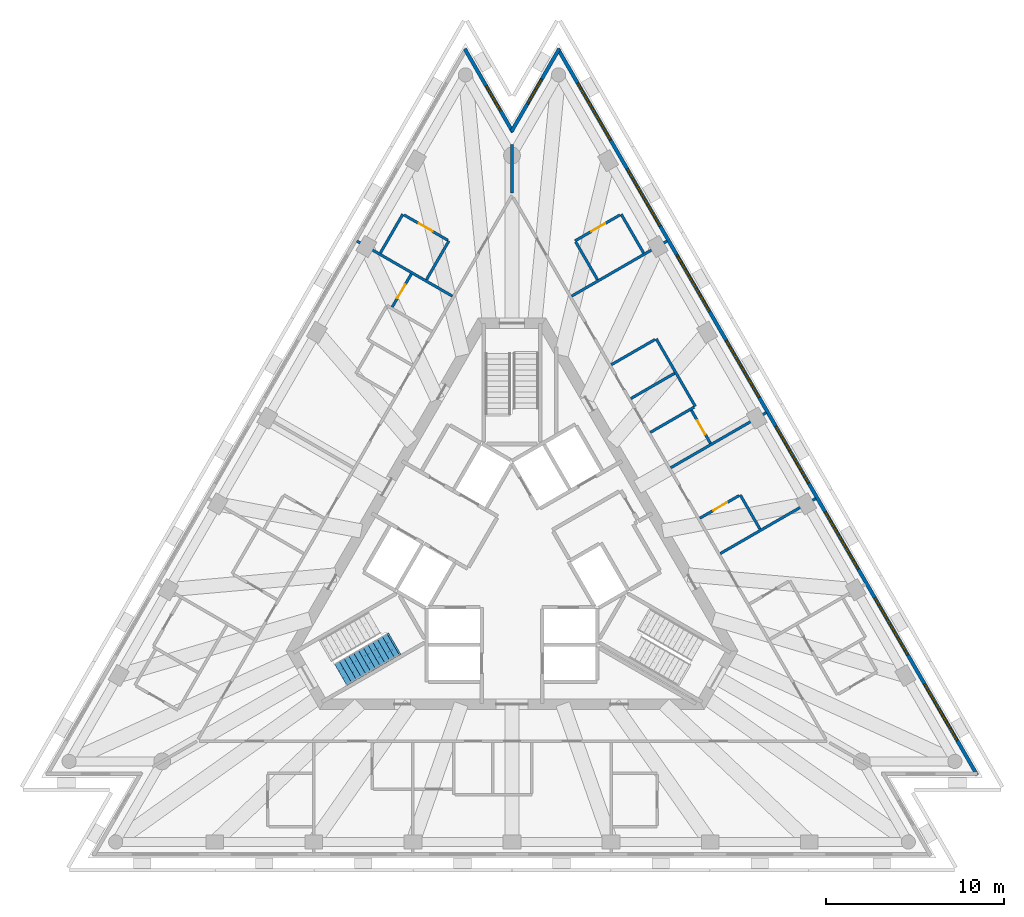
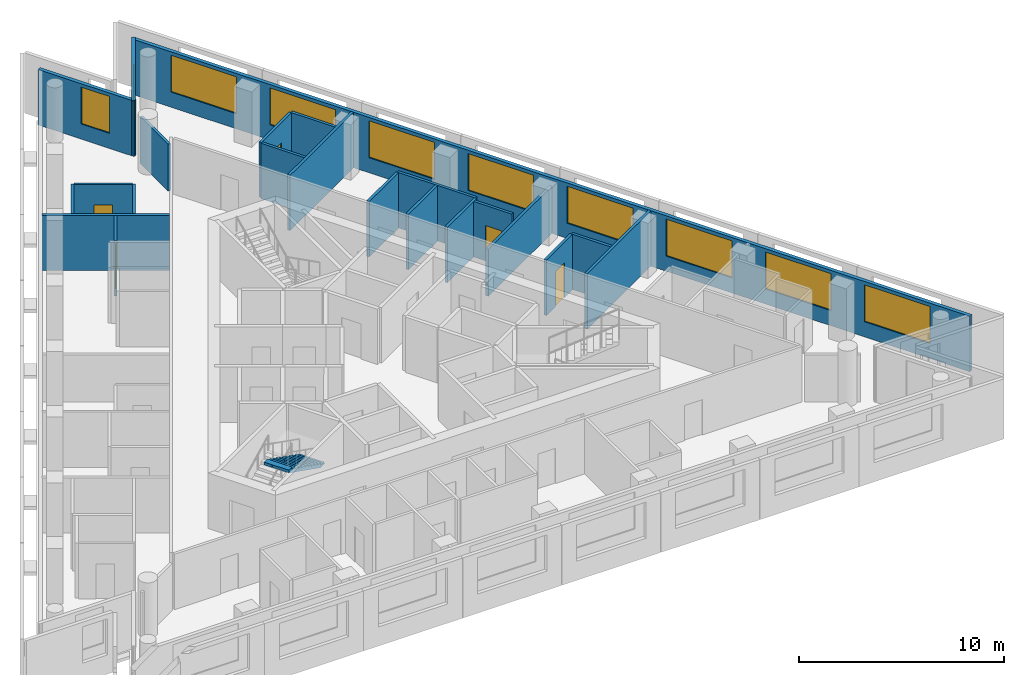
# One storey, part 7 of 10: 22 walls, 10 windows, 5 doors, 1 stair flight, 15 openings, 1 element without a shape of its own.
"""IFC4 building model written with IfcOpenShell, lengths in metres."""

from ifc_helpers import new_model, si_unit, direction, frame, frame_2d, origin, place, context, subcontext, project, spatial, polyline, rectangle, outline, extrude, material, layer, layer_set, layer_usage, type_object, element, fill, aggregate, save


model = new_model("IFC4")

# Units and contexts
model_context = context("Model", 3, precision=1e-05, world=origin(), true_north=direction((0.0, 1.0)))
body_context = subcontext(model_context, "Body", "Model", "MODEL_VIEW")
ifc_project = project(units=[si_unit("LENGTHUNIT", "METRE"), si_unit("AREAUNIT", "SQUARE_METRE"), si_unit("VOLUMEUNIT", "CUBIC_METRE"), si_unit("PLANEANGLEUNIT", "RADIAN"), si_unit("MASSUNIT", "GRAM", prefix="KILO")], contexts=[model_context])

# Site, building, storey
site_placement = place(None, origin())
site = spatial("IfcSite", under=ifc_project, at=site_placement, CompositionType="ELEMENT")
building_placement = place(site_placement, origin())
building = spatial("IfcBuilding", under=site, at=building_placement, Name="Triada Interchange Tower", CompositionType="ELEMENT")
storey_placement = place(building_placement, frame((0.0, 0.0, 268.300048828125)))
storey = spatial("IfcBuildingStorey", under=building, at=storey_placement, Name="L62", CompositionType="ELEMENT", Elevation=268.300048828125)

# Wall, openings, windows
ifc_material_1 = material(Name="Cement board")
ifc_layer_1 = layer(ifc_material_1, 0.02001953125, Name="Cement board cladding")
ifc_material_2 = material(Name="Sheathing board")
ifc_layer_2 = layer(ifc_material_2, 0.014892578125, Name="Sheathing board")
ifc_material_3 = material(Name="Mineral wool")
ifc_layer_3 = layer(ifc_material_3, 0.14990234375, Name="Mineral wool between steel studs")
ifc_material_4 = material(Name="Gypsum board")
ifc_layer_4 = layer(ifc_material_4, 0.014892578125, Name="Plasterboard lining")
ifc_layer_set_1 = layer_set([ifc_layer_1, ifc_layer_2, ifc_layer_3, ifc_layer_4], Name="External wall 200")
ifc_layer_usage = layer_usage(ifc_layer_set_1, "AXIS2", "POSITIVE", -0.10009765625)
wall_type_1 = type_object("IfcWallType", Name="External wall 200", PredefinedType="ELEMENTEDWALL", material=ifc_layer_set_1)
wall_1_placement = place(storey_placement, frame((26.205078125, -12.154052734375, 0.0), z_axis=(0.0, 0.0, 1.0), x_axis=(-0.49999909388, 0.866025926932, 0.0)))
wall_1 = element("IfcWall", 1, at=wall_1_placement, inside=storey, type_object=wall_type_1, material=ifc_layer_usage, Name="External wall L62 NE", PredefinedType="ELEMENTEDWALL", context=body_context, shape_type="SweptSolid", body=[
    extrude(rectangle(XDim=47.236328125, YDim=0.199951171875, at=frame_2d((23.6181640625, 0.0))), origin(), (0.0, 0.0, 1.0), 3.300048828125),
])
opening_1_placement = place(wall_1_placement, frame((2.242919921875, 0.0, 0.89990234375)))
opening_1 = element("IfcOpeningElement", 2, at=opening_1_placement, cuts=wall_1, Name="Opening WD21", PredefinedType="OPENING", context=body_context, shape_type="SweptSolid", body=[
    extrude(rectangle(XDim=3.699951171875, YDim=2.199951171875, at=frame_2d((1.85009765625, 1.10009765625))), frame((0.0, 0.10986328125, 0.0), z_axis=(0.0, -1.0, 0.0), x_axis=(1.0, 0.0, 0.0)), (0.0, 0.0, 1.0), 0.219970703125),
])
opening_2_placement = place(wall_1_placement, frame((7.824951171875, 0.0, 0.89990234375)))
opening_2 = element("IfcOpeningElement", 3, at=opening_2_placement, cuts=wall_1, Name="Opening WD22", PredefinedType="OPENING", context=body_context, shape_type="SweptSolid", body=[
    extrude(rectangle(XDim=3.699951171875, YDim=2.199951171875, at=frame_2d((1.85009765625, 1.10009765625))), frame((0.0, 0.10986328125, 0.0), z_axis=(0.0, -1.0, 0.0), x_axis=(1.0, 0.0, 0.0)), (0.0, 0.0, 1.0), 0.219970703125),
])
opening_3_placement = place(wall_1_placement, frame((13.406005859375, 0.0, 0.89990234375)))
opening_3 = element("IfcOpeningElement", 4, at=opening_3_placement, cuts=wall_1, Name="Opening WD23", PredefinedType="OPENING", context=body_context, shape_type="SweptSolid", body=[
    extrude(rectangle(XDim=3.699951171875, YDim=2.199951171875, at=frame_2d((1.85009765625, 1.10009765625))), frame((0.0, 0.10986328125, 0.0), z_axis=(0.0, -1.0, 0.0), x_axis=(1.0, 0.0, 0.0)), (0.0, 0.0, 1.0), 0.219970703125),
])
opening_4_placement = place(wall_1_placement, frame((18.987060546875, 0.0, 0.89990234375)))
opening_4 = element("IfcOpeningElement", 5, at=opening_4_placement, cuts=wall_1, Name="Opening WD24", PredefinedType="OPENING", context=body_context, shape_type="SweptSolid", body=[
    extrude(rectangle(XDim=3.699951171875, YDim=2.199951171875, at=frame_2d((1.85009765625, 1.10009765625))), frame((0.0, 0.10986328125, 0.0), z_axis=(0.0, -1.0, 0.0), x_axis=(1.0, 0.0, 0.0)), (0.0, 0.0, 1.0), 0.219970703125),
])
opening_5_placement = place(wall_1_placement, frame((24.569091796875, 0.0, 0.89990234375)))
opening_5 = element("IfcOpeningElement", 6, at=opening_5_placement, cuts=wall_1, Name="Opening WD25", PredefinedType="OPENING", context=body_context, shape_type="SweptSolid", body=[
    extrude(rectangle(XDim=3.699951171875, YDim=2.199951171875, at=frame_2d((1.85009765625, 1.10009765625))), frame((0.0, 0.10986328125, 0.0), z_axis=(0.0, -1.0, 0.0), x_axis=(1.0, 0.0, 0.0)), (0.0, 0.0, 1.0), 0.219970703125),
])
opening_6_placement = place(wall_1_placement, frame((30.14990234375, 0.0, 0.89990234375)))
opening_6 = element("IfcOpeningElement", 7, at=opening_6_placement, cuts=wall_1, Name="Opening WD26", PredefinedType="OPENING", context=body_context, shape_type="SweptSolid", body=[
    extrude(rectangle(XDim=3.699951171875, YDim=2.199951171875, at=frame_2d((1.85009765625, 1.10009765625))), frame((0.0, 0.10986328125, 0.0), z_axis=(0.0, -1.0, 0.0), x_axis=(1.0, 0.0, 0.0)), (0.0, 0.0, 1.0), 0.219970703125),
])
opening_7_placement = place(wall_1_placement, frame((35.73193359375, 0.0, 0.89990234375)))
opening_7 = element("IfcOpeningElement", 8, at=opening_7_placement, cuts=wall_1, Name="Opening WD27", PredefinedType="OPENING", context=body_context, shape_type="SweptSolid", body=[
    extrude(rectangle(XDim=3.699951171875, YDim=2.199951171875, at=frame_2d((1.85009765625, 1.10009765625))), frame((0.0, 0.10986328125, 0.0), z_axis=(0.0, -1.0, 0.0), x_axis=(1.0, 0.0, 0.0)), (0.0, 0.0, 1.0), 0.219970703125),
])
opening_8_placement = place(wall_1_placement, frame((41.31298828125, 0.0, 0.89990234375)))
opening_8 = element("IfcOpeningElement", 9, at=opening_8_placement, cuts=wall_1, Name="Opening WD28", PredefinedType="OPENING", context=body_context, shape_type="SweptSolid", body=[
    extrude(rectangle(XDim=3.699951171875, YDim=2.199951171875, at=frame_2d((1.85009765625, 1.10009765625))), frame((0.0, 0.10986328125, 0.0), z_axis=(0.0, -1.0, 0.0), x_axis=(1.0, 0.0, 0.0)), (0.0, 0.0, 1.0), 0.219970703125),
])
ifc_material_5 = material(Name="Double glazed aluminium window", Category="aluminium")
window_type_1 = type_object("IfcWindowType", Name="Ribbon window D face", PartitioningType="SINGLE_PANEL", PredefinedType="WINDOW", material=ifc_material_5)
window_1_placement = place(opening_1_placement, origin())
window_1 = element("IfcWindow", 10, at=window_1_placement, inside=storey, type_object=window_type_1, Name="Window L62 NE 1", OverallHeight=2.199951171875, OverallWidth=3.699951171875, PartitioningType="SINGLE_PANEL", PredefinedType="WINDOW", context=body_context, shape_type="SweptSolid", body=[
    extrude(rectangle(XDim=3.699951171875, YDim=2.199951171875, at=frame_2d((1.85009765625, 1.10009765625))), frame((0.0, 0.030029296875, 0.0), z_axis=(0.0, -1.0, 0.0), x_axis=(1.0, 0.0, 0.0)), (0.0, 0.0, 1.0), 0.06005859375),
])
fill(opening_1, window_1)
window_2_placement = place(opening_2_placement, origin())
window_2 = element("IfcWindow", 11, at=window_2_placement, inside=storey, type_object=window_type_1, Name="Window L62 NE 2", OverallHeight=2.199951171875, OverallWidth=3.699951171875, PartitioningType="SINGLE_PANEL", PredefinedType="WINDOW", context=body_context, shape_type="SweptSolid", body=[
    extrude(rectangle(XDim=3.699951171875, YDim=2.199951171875, at=frame_2d((1.85009765625, 1.10009765625))), frame((0.0, 0.030029296875, 0.0), z_axis=(0.0, -1.0, 0.0), x_axis=(1.0, 0.0, 0.0)), (0.0, 0.0, 1.0), 0.06005859375),
])
fill(opening_2, window_2)
window_3_placement = place(opening_3_placement, origin())
window_3 = element("IfcWindow", 12, at=window_3_placement, inside=storey, type_object=window_type_1, Name="Window L62 NE 3", OverallHeight=2.199951171875, OverallWidth=3.699951171875, PartitioningType="SINGLE_PANEL", PredefinedType="WINDOW", context=body_context, shape_type="SweptSolid", body=[
    extrude(rectangle(XDim=3.699951171875, YDim=2.199951171875, at=frame_2d((1.85009765625, 1.10009765625))), frame((0.0, 0.030029296875, 0.0), z_axis=(0.0, -1.0, 0.0), x_axis=(1.0, 0.0, 0.0)), (0.0, 0.0, 1.0), 0.06005859375),
])
fill(opening_3, window_3)
window_4_placement = place(opening_4_placement, origin())
window_4 = element("IfcWindow", 13, at=window_4_placement, inside=storey, type_object=window_type_1, Name="Window L62 NE 4", OverallHeight=2.199951171875, OverallWidth=3.699951171875, PartitioningType="SINGLE_PANEL", PredefinedType="WINDOW", context=body_context, shape_type="SweptSolid", body=[
    extrude(rectangle(XDim=3.699951171875, YDim=2.199951171875, at=frame_2d((1.85009765625, 1.10009765625))), frame((0.0, 0.030029296875, 0.0), z_axis=(0.0, -1.0, 0.0), x_axis=(1.0, 0.0, 0.0)), (0.0, 0.0, 1.0), 0.06005859375),
])
fill(opening_4, window_4)
window_5_placement = place(opening_5_placement, origin())
window_5 = element("IfcWindow", 14, at=window_5_placement, inside=storey, type_object=window_type_1, Name="Window L62 NE 5", OverallHeight=2.199951171875, OverallWidth=3.699951171875, PartitioningType="SINGLE_PANEL", PredefinedType="WINDOW", context=body_context, shape_type="SweptSolid", body=[
    extrude(rectangle(XDim=3.699951171875, YDim=2.199951171875, at=frame_2d((1.85009765625, 1.10009765625))), frame((0.0, 0.030029296875, 0.0), z_axis=(0.0, -1.0, 0.0), x_axis=(1.0, 0.0, 0.0)), (0.0, 0.0, 1.0), 0.06005859375),
])
fill(opening_5, window_5)
window_6_placement = place(opening_6_placement, origin())
window_6 = element("IfcWindow", 15, at=window_6_placement, inside=storey, type_object=window_type_1, Name="Window L62 NE 6", OverallHeight=2.199951171875, OverallWidth=3.699951171875, PartitioningType="SINGLE_PANEL", PredefinedType="WINDOW", context=body_context, shape_type="SweptSolid", body=[
    extrude(rectangle(XDim=3.699951171875, YDim=2.199951171875, at=frame_2d((1.85009765625, 1.10009765625))), frame((0.0, 0.030029296875, 0.0), z_axis=(0.0, -1.0, 0.0), x_axis=(1.0, 0.0, 0.0)), (0.0, 0.0, 1.0), 0.06005859375),
])
fill(opening_6, window_6)
window_7_placement = place(opening_7_placement, origin())
window_7 = element("IfcWindow", 16, at=window_7_placement, inside=storey, type_object=window_type_1, Name="Window L62 NE 7", OverallHeight=2.199951171875, OverallWidth=3.699951171875, PartitioningType="SINGLE_PANEL", PredefinedType="WINDOW", context=body_context, shape_type="SweptSolid", body=[
    extrude(rectangle(XDim=3.699951171875, YDim=2.199951171875, at=frame_2d((1.85009765625, 1.10009765625))), frame((0.0, 0.030029296875, 0.0), z_axis=(0.0, -1.0, 0.0), x_axis=(1.0, 0.0, 0.0)), (0.0, 0.0, 1.0), 0.06005859375),
])
fill(opening_7, window_7)
window_8_placement = place(opening_8_placement, origin())
window_8 = element("IfcWindow", 17, at=window_8_placement, inside=storey, type_object=window_type_1, Name="Window L62 NE 8", OverallHeight=2.199951171875, OverallWidth=3.699951171875, PartitioningType="SINGLE_PANEL", PredefinedType="WINDOW", context=body_context, shape_type="SweptSolid", body=[
    extrude(rectangle(XDim=3.699951171875, YDim=2.199951171875, at=frame_2d((1.85009765625, 1.10009765625))), frame((0.0, 0.030029296875, 0.0), z_axis=(0.0, -1.0, 0.0), x_axis=(1.0, 0.0, 0.0)), (0.0, 0.0, 1.0), 0.06005859375),
])
fill(opening_8, window_8)

# Wall, opening, window
wall_2_placement = place(storey_placement, frame((2.6669921875, 28.77099609375, 0.0), z_axis=(0.0, 0.0, 1.0), x_axis=(-0.500070558953, -0.865984662721, 0.0)))
wall_2 = element("IfcWall", 18, at=wall_2_placement, inside=storey, type_object=wall_type_1, material=ifc_layer_usage, Name="External wall L62 N-1", PredefinedType="ELEMENTEDWALL", context=body_context, shape_type="SweptSolid", body=[
    extrude(rectangle(XDim=5.403076171875, YDim=0.199951171875, at=frame_2d((2.70166015625, 0.0))), origin(), (0.0, 0.0, 1.0), 3.300048828125),
])
opening_9_placement = place(wall_2_placement, frame((1.989990234375, 0.0, 0.89990234375)))
opening_9 = element("IfcOpeningElement", 19, at=opening_9_placement, cuts=wall_2, Name="Opening WD29", PredefinedType="OPENING", context=body_context, shape_type="SweptSolid", body=[
    extrude(rectangle(XDim=1.60009765625, YDim=2.199951171875, at=frame_2d((0.800048828125, 1.10009765625))), frame((0.0, 0.10986328125, 0.0), z_axis=(0.0, -1.0, 0.0), x_axis=(1.0, 0.0, 0.0)), (0.0, 0.0, 1.0), 0.219970703125),
])
window_type_2 = type_object("IfcWindowType", Name="Ribbon window D pocket", PartitioningType="SINGLE_PANEL", PredefinedType="WINDOW", material=ifc_material_5)
window_9_placement = place(opening_9_placement, origin())
window_9 = element("IfcWindow", 20, at=window_9_placement, inside=storey, type_object=window_type_2, Name="Window L62 N-1 1", OverallHeight=2.199951171875, OverallWidth=1.60009765625, PartitioningType="SINGLE_PANEL", PredefinedType="WINDOW", context=body_context, shape_type="SweptSolid", body=[
    extrude(rectangle(XDim=1.60009765625, YDim=2.199951171875, at=frame_2d((0.800048828125, 1.10009765625))), frame((0.0, 0.030029296875, 0.0), z_axis=(0.0, -1.0, 0.0), x_axis=(1.0, 0.0, 0.0)), (0.0, 0.0, 1.0), 0.06005859375),
])
fill(opening_9, window_9)

wall_3_placement = place(storey_placement, frame((0.044921875, 24.074951171875, 0.0), z_axis=(0.0, 0.0, 1.0), x_axis=(-0.500070558953, 0.865984662721, 0.0)))
wall_3 = element("IfcWall", 21, at=wall_3_placement, inside=storey, type_object=wall_type_1, material=ifc_layer_usage, Name="External wall L62 N-2", PredefinedType="ELEMENTEDWALL", context=body_context, shape_type="SweptSolid", body=[
    extrude(rectangle(XDim=5.403076171875, YDim=0.199951171875, at=frame_2d((2.70166015625, 0.0))), origin(), (0.0, 0.0, 1.0), 3.300048828125),
])
opening_10_placement = place(wall_3_placement, frame((1.389892578125, 0.0, 0.89990234375)))
opening_10 = element("IfcOpeningElement", 22, at=opening_10_placement, cuts=wall_3, Name="Opening WD30", PredefinedType="OPENING", context=body_context, shape_type="SweptSolid", body=[
    extrude(rectangle(XDim=1.60009765625, YDim=2.199951171875, at=frame_2d((0.800048828125, 1.10009765625))), frame((0.0, 0.10986328125, 0.0), z_axis=(0.0, -1.0, 0.0), x_axis=(1.0, 0.0, 0.0)), (0.0, 0.0, 1.0), 0.219970703125),
])
window_10_placement = place(opening_10_placement, origin())
window_10 = element("IfcWindow", 23, at=window_10_placement, inside=storey, type_object=window_type_2, Name="Window L62 N-2 1", OverallHeight=2.199951171875, OverallWidth=1.60009765625, PartitioningType="SINGLE_PANEL", PredefinedType="WINDOW", context=body_context, shape_type="SweptSolid", body=[
    extrude(rectangle(XDim=1.60009765625, YDim=2.199951171875, at=frame_2d((0.800048828125, 1.10009765625))), frame((0.0, 0.030029296875, 0.0), z_axis=(0.0, -1.0, 0.0), x_axis=(1.0, 0.0, 0.0)), (0.0, 0.0, 1.0), 0.06005859375),
])
fill(opening_10, window_10)

# Walls
ifc_material_6 = material(Name="Gypsum board partition")
ifc_layer_5 = layer(ifc_material_6, 0.14990234375)
ifc_layer_set_2 = layer_set([ifc_layer_5], Name="PARTITION 150 EI 180")
wall_type_2 = type_object("IfcWallType", Name="PARTITION 150 EI 180", PredefinedType="PARTITIONING", material=ifc_layer_set_2)
wall_4_placement = place(storey_placement, frame((8.94189453125, 5.162109375, 0.0), z_axis=(0.0, 0.0, 1.0), x_axis=(0.866004272968, 0.500036597862, 0.0)))
element("IfcWall", 24, at=wall_4_placement, inside=storey, type_object=wall_type_2, Name="Wall L62 2", PredefinedType="PARTITIONING", context=body_context, shape_type="SweptSolid", body=[
    extrude(rectangle(XDim=6.21142578125, YDim=0.14990234375, at=frame_2d((3.105712890625, 0.0))), origin(), (0.0, 0.0, 1.0), 2.800048828125),
])
wall_5_placement = place(storey_placement, frame((-8.739990234375, 17.93603515625, 0.0), z_axis=(0.0, 0.0, 1.0), x_axis=(0.866033751423, -0.499985541187, 0.0)))
element("IfcWall", 25, at=wall_5_placement, inside=storey, type_object=wall_type_2, Name="Wall L62 10", PredefinedType="PARTITIONING", context=body_context, shape_type="SweptSolid", body=[
    extrude(rectangle(XDim=6.212158203125, YDim=0.14990234375, at=frame_2d((3.10595703125, 0.0))), origin(), (0.0, 0.0, 1.0), 3.300048828125),
])
wall_6_placement = place(storey_placement, frame((0.0, 20.64990234375, 0.0), z_axis=(0.0, 0.0, 1.0), x_axis=(0.0, 1.0, 0.0)))
element("IfcWall", 26, at=wall_6_placement, inside=storey, type_object=wall_type_2, Name="Wall L62 21", PredefinedType="PARTITIONING", context=body_context, shape_type="SweptSolid", body=[
    extrude(rectangle(XDim=2.72314453125, YDim=0.14990234375, at=frame_2d((1.361572265625, 0.0))), origin(), (0.0, 0.0, 1.0), 2.800048828125),
])
wall_7_placement = place(storey_placement, frame((3.360107421875, 14.830078125, 0.0), z_axis=(0.0, 0.0, 1.0), x_axis=(0.866033751423, 0.499985541187, 0.0)))
element("IfcWall", 27, at=wall_7_placement, inside=storey, type_object=wall_type_2, Name="Wall L62 23", PredefinedType="PARTITIONING", context=body_context, shape_type="SweptSolid", body=[
    extrude(rectangle(XDim=6.212158203125, YDim=0.14990234375, at=frame_2d((3.10595703125, 0.0))), origin(), (0.0, 0.0, 1.0), 3.300048828125),
])
wall_8_placement = place(storey_placement, frame((8.125, 12.427001953125, 0.0), z_axis=(0.0, 0.0, 1.0), x_axis=(0.500036278648, -0.866004457284, 0.0)))
element("IfcWall", 28, at=wall_8_placement, inside=storey, type_object=wall_type_2, Name="Wall L62 24", PredefinedType="PARTITIONING", context=body_context, shape_type="SweptSolid", body=[
    extrude(rectangle(XDim=4.399658203125, YDim=0.14990234375, at=frame_2d((2.19970703125, 0.0))), origin(), (0.0, 0.0, 1.0), 3.300048828125),
])
for number, where, z_axis, x_axis, name in (
    (29, (5.592041015625, 10.965087890625, 0.0), (0.0, 0.0, 1.0), (0.866041498374, 0.499972122318, 0.0), "Wall L62 25"),
    (30, (6.69189453125, 9.05908203125, 0.0), (0.0, 0.0, 1.0), (0.866041498374, 0.499972122318, 0.0), "Wall L62 27"),
    (31, (7.7919921875, 7.154052734375, 0.0), (0.0, 0.0, 1.0), (0.866004402611, 0.500036373335, 0.0), "Wall L62 28"),
):
    element("IfcWall", number, at=place(storey_placement, frame(where, z_axis=z_axis, x_axis=x_axis)), inside=storey, type_object=wall_type_2, Name=name, PredefinedType="PARTITIONING", context=body_context, shape_type="SweptSolid", body=[
        extrude(rectangle(XDim=2.849853515625, YDim=0.14990234375, at=frame_2d((1.4248046875, 0.0))), origin(), (0.0, 0.0, 1.0), 3.300048828125),
    ])
wall_9_placement = place(storey_placement, frame((11.73193359375, 0.3291015625, 0.0), z_axis=(0.0, 0.0, 1.0), x_axis=(0.866043575568, 0.499968524226, 0.0)))
element("IfcWall", 32, at=wall_9_placement, inside=storey, type_object=wall_type_2, Name="Wall L62 29", PredefinedType="PARTITIONING", context=body_context, shape_type="SweptSolid", body=[
    extrude(rectangle(XDim=6.21240234375, YDim=0.14990234375, at=frame_2d((3.106201171875, 0.0))), origin(), (0.0, 0.0, 1.0), 3.300048828125),
])
ifc_layer_6 = layer(ifc_material_6, 0.14990234375)
ifc_layer_set_3 = layer_set([ifc_layer_6], Name="PARTITION 150 EI 90")
wall_type_3 = type_object("IfcWallType", Name="PARTITION 150 EI 90", PredefinedType="PARTITIONING", material=ifc_layer_set_3)
for number, where, z_axis, x_axis, name in (
    (33, (-4.81689453125, 15.757080078125, 0.0), (0.0, 0.0, 1.0), (0.500079482444, 0.865979509711, 0.0), "Wall L62 35"),
    (34, (-7.4150390625, 17.257080078125, 0.0), (0.0, 0.0, 1.0), (0.500079482444, 0.865979509711, 0.0), "Wall L62 37"),
):
    element("IfcWall", number, at=place(storey_placement, frame(where, z_axis=z_axis, x_axis=x_axis)), inside=storey, type_object=wall_type_3, Name=name, PredefinedType="PARTITIONING", context=body_context, shape_type="SweptSolid", body=[
        extrude(rectangle(XDim=2.525390625, YDim=0.14990234375, at=frame_2d((1.2626953125, 0.0))), origin(), (0.0, 0.0, 1.0), 3.300048828125),
    ])

# Wall, opening, door
wall_10_placement = place(storey_placement, frame((-6.74609375, 14.216064453125, 0.0), z_axis=(0.0, 0.0, 1.0), x_axis=(0.500095966228, 0.865969990567, 0.0)))
wall_10 = element("IfcWall", 35, at=wall_10_placement, inside=storey, type_object=wall_type_3, Name="Wall L62 40", PredefinedType="PARTITIONING", context=body_context, shape_type="SweptSolid", body=[
    extrude(rectangle(XDim=2.14990234375, YDim=0.14990234375, at=frame_2d((1.074951171875, 0.0))), origin(), (0.0, 0.0, 1.0), 3.300048828125),
])
opening_11_placement = place(wall_10_placement, frame((0.574951171875, 0.0, 0.0)))
opening_11 = element("IfcOpeningElement", 36, at=opening_11_placement, cuts=wall_10, Name="Opening D62-37", PredefinedType="OPENING", context=body_context, shape_type="SweptSolid", body=[
    extrude(rectangle(XDim=0.89990234375, YDim=2.10009765625, at=frame_2d((0.449951171875, 1.050048828125))), frame((0.0, 0.0849609375, 0.0), z_axis=(0.0, -1.0, 0.0), x_axis=(1.0, 0.0, 0.0)), (0.0, 0.0, 1.0), 0.169921875),
])
ifc_material_7 = material(Name="Steel S235 door leaf", Category="steel")
door_type = type_object("IfcDoorType", Name="ROOM DOOR 900 EI2 45-C5S200", OperationType="NOTDEFINED", PredefinedType="DOOR", material=ifc_material_7)
door_1_placement = place(opening_11_placement, origin())
door_1 = element("IfcDoor", 37, at=door_1_placement, inside=storey, type_object=door_type, Name="Door D62-37 L62", OperationType="SINGLE_SWING_LEFT", OverallHeight=2.10009765625, OverallWidth=0.89990234375, PredefinedType="DOOR", context=body_context, shape_type="SweptSolid", body=[
    extrude(rectangle(XDim=0.89990234375, YDim=2.10009765625, at=frame_2d((0.449951171875, 1.050048828125))), frame((0.0, 0.02490234375, 0.0), z_axis=(0.0, -1.0, 0.0), x_axis=(1.0, 0.0, 0.0)), (0.0, 0.0, 1.0), 0.050048828125),
])
fill(opening_11, door_1)

wall_11_placement = place(storey_placement, frame((-6.0869140625, 19.406982421875, 0.0), z_axis=(0.0, 0.0, 1.0), x_axis=(0.866004402611, -0.500036373335, 0.0)))
wall_11 = element("IfcWall", 38, at=wall_11_placement, inside=storey, type_object=wall_type_3, Name="Wall L62 51", PredefinedType="PARTITIONING", context=body_context, shape_type="SweptSolid", body=[
    extrude(rectangle(XDim=2.849853515625, YDim=0.14990234375, at=frame_2d((1.4248046875, 0.0))), origin(), (0.0, 0.0, 1.0), 3.300048828125),
])
opening_12_placement = place(wall_11_placement, frame((0.97509765625, 0.0, 0.0)))
opening_12 = element("IfcOpeningElement", 39, at=opening_12_placement, cuts=wall_11, Name="Opening D62-35", PredefinedType="OPENING", context=body_context, shape_type="SweptSolid", body=[
    extrude(rectangle(XDim=0.89990234375, YDim=2.10009765625, at=frame_2d((0.449951171875, 1.050048828125))), frame((0.0, 0.0849609375, 0.0), z_axis=(0.0, -1.0, 0.0), x_axis=(1.0, 0.0, 0.0)), (0.0, 0.0, 1.0), 0.169921875),
])
door_2_placement = place(opening_12_placement, origin())
door_2 = element("IfcDoor", 40, at=door_2_placement, inside=storey, type_object=door_type, Name="Door D62-35 L62", OperationType="SINGLE_SWING_RIGHT", OverallHeight=2.10009765625, OverallWidth=0.89990234375, PredefinedType="DOOR", context=body_context, shape_type="SweptSolid", body=[
    extrude(rectangle(XDim=0.89990234375, YDim=2.10009765625, at=frame_2d((0.449951171875, 1.050048828125))), frame((0.0, 0.02490234375, 0.0), z_axis=(0.0, -1.0, 0.0), x_axis=(1.0, 0.0, 0.0)), (0.0, 0.0, 1.0), 0.050048828125),
])
fill(opening_12, door_2)

# Wall
wall_12_placement = place(storey_placement, frame((6.152099609375, 19.444091796875, 0.0), z_axis=(0.0, 0.0, 1.0), x_axis=(0.500079482444, -0.865979509711, 0.0)))
element("IfcWall", 41, at=wall_12_placement, inside=storey, type_object=wall_type_3, Name="Wall L62 52", PredefinedType="PARTITIONING", context=body_context, shape_type="SweptSolid", body=[
    extrude(rectangle(XDim=2.525390625, YDim=0.14990234375, at=frame_2d((1.2626953125, 0.0))), origin(), (0.0, 0.0, 1.0), 3.300048828125),
])

# Wall, opening, door
wall_13_placement = place(storey_placement, frame((3.553955078125, 17.944091796875, 0.0), z_axis=(0.0, 0.0, 1.0), x_axis=(0.865953438489, 0.500124626836, 0.0)))
wall_13 = element("IfcWall", 42, at=wall_13_placement, inside=storey, type_object=wall_type_3, Name="Wall L62 54", PredefinedType="PARTITIONING", context=body_context, shape_type="SweptSolid", body=[
    extrude(rectangle(XDim=2.925048828125, YDim=0.14990234375, at=frame_2d((1.46240234375, 0.0))), origin(), (0.0, 0.0, 1.0), 3.300048828125),
])
opening_13_placement = place(wall_13_placement, frame((1.050048828125, 0.0, 0.0)))
opening_13 = element("IfcOpeningElement", 43, at=opening_13_placement, cuts=wall_13, Name="Opening D62-33", PredefinedType="OPENING", context=body_context, shape_type="SweptSolid", body=[
    extrude(rectangle(XDim=0.89990234375, YDim=2.10009765625, at=frame_2d((0.449951171875, 1.050048828125))), frame((0.0, 0.0849609375, 0.0), z_axis=(0.0, -1.0, 0.0), x_axis=(1.0, 0.0, 0.0)), (0.0, 0.0, 1.0), 0.169921875),
])
door_3_placement = place(opening_13_placement, origin())
door_3 = element("IfcDoor", 44, at=door_3_placement, inside=storey, type_object=door_type, Name="Door D62-33 L62", OperationType="SINGLE_SWING_LEFT", OverallHeight=2.10009765625, OverallWidth=0.89990234375, PredefinedType="DOOR", context=body_context, shape_type="SweptSolid", body=[
    extrude(rectangle(XDim=0.89990234375, YDim=2.10009765625, at=frame_2d((0.449951171875, 1.050048828125))), frame((0.0, 0.02490234375, 0.0), z_axis=(0.0, -1.0, 0.0), x_axis=(1.0, 0.0, 0.0)), (0.0, 0.0, 1.0), 0.050048828125),
])
fill(opening_13, door_3)

# Wall
wall_14_placement = place(storey_placement, frame((3.592041015625, 17.87890625, 0.0), z_axis=(0.0, 0.0, 1.0), x_axis=(0.499943856944, -0.866057815567, 0.0)))
element("IfcWall", 45, at=wall_14_placement, inside=storey, type_object=wall_type_3, Name="Wall L62 55", PredefinedType="PARTITIONING", context=body_context, shape_type="SweptSolid", body=[
    extrude(rectangle(XDim=2.449951171875, YDim=0.14990234375, at=frame_2d((1.22509765625, 0.0))), origin(), (0.0, 0.0, 1.0), 3.300048828125),
])

# Wall, opening, door
wall_15_placement = place(storey_placement, frame((10.10302734375, 8.402099609375, 0.0), z_axis=(0.0, 0.0, 1.0), x_axis=(0.499961633463, -0.866047553582, 0.0)))
wall_15 = element("IfcWall", 46, at=wall_15_placement, inside=storey, type_object=wall_type_3, Name="Wall L62 58", PredefinedType="PARTITIONING", context=body_context, shape_type="SweptSolid", body=[
    extrude(rectangle(XDim=2.150146484375, YDim=0.14990234375, at=frame_2d((1.0751953125, 0.0))), origin(), (0.0, 0.0, 1.0), 3.300048828125),
])
opening_14_placement = place(wall_15_placement, frame((0.675048828125, 0.0, 0.0)))
opening_14 = element("IfcOpeningElement", 47, at=opening_14_placement, cuts=wall_15, Name="Opening D62-29", PredefinedType="OPENING", context=body_context, shape_type="SweptSolid", body=[
    extrude(rectangle(XDim=0.89990234375, YDim=2.10009765625, at=frame_2d((0.449951171875, 1.050048828125))), frame((0.0, 0.0849609375, 0.0), z_axis=(0.0, -1.0, 0.0), x_axis=(1.0, 0.0, 0.0)), (0.0, 0.0, 1.0), 0.169921875),
])
door_4_placement = place(opening_14_placement, origin())
door_4 = element("IfcDoor", 48, at=door_4_placement, inside=storey, type_object=door_type, Name="Door D62-29 L62", OperationType="SINGLE_SWING_LEFT", OverallHeight=2.10009765625, OverallWidth=0.89990234375, PredefinedType="DOOR", context=body_context, shape_type="SweptSolid", body=[
    extrude(rectangle(XDim=0.89990234375, YDim=2.10009765625, at=frame_2d((0.449951171875, 1.050048828125))), frame((0.0, 0.02490234375, 0.0), z_axis=(0.0, -1.0, 0.0), x_axis=(1.0, 0.0, 0.0)), (0.0, 0.0, 1.0), 0.050048828125),
])
fill(opening_14, door_4)

# Wall
wall_16_placement = place(storey_placement, frame((12.85595703125, 3.633056640625, 0.0), z_axis=(0.0, 0.0, 1.0), x_axis=(0.500023359282, -0.866011916877, 0.0)))
element("IfcWall", 49, at=wall_16_placement, inside=storey, type_object=wall_type_3, Name="Wall L62 59", PredefinedType="PARTITIONING", context=body_context, shape_type="SweptSolid", body=[
    extrude(rectangle(XDim=2.22412109375, YDim=0.14990234375, at=frame_2d((1.112060546875, 0.0))), origin(), (0.0, 0.0, 1.0), 3.300048828125),
])

# Wall, opening, door
wall_17_placement = place(storey_placement, frame((10.58203125, 2.321044921875, 0.0), z_axis=(0.0, 0.0, 1.0), x_axis=(0.866102706185, 0.499866084405, 0.0)))
wall_17 = element("IfcWall", 50, at=wall_17_placement, inside=storey, type_object=wall_type_3, Name="Wall L62 61", PredefinedType="PARTITIONING", context=body_context, shape_type="SweptSolid", body=[
    extrude(rectangle(XDim=2.550537109375, YDim=0.14990234375, at=frame_2d((1.275390625, 0.0))), origin(), (0.0, 0.0, 1.0), 3.300048828125),
])
opening_15_placement = place(wall_17_placement, frame((0.875, 0.0, 0.0)))
opening_15 = element("IfcOpeningElement", 51, at=opening_15_placement, cuts=wall_17, Name="Opening D62-27", PredefinedType="OPENING", context=body_context, shape_type="SweptSolid", body=[
    extrude(rectangle(XDim=0.89990234375, YDim=2.10009765625, at=frame_2d((0.449951171875, 1.050048828125))), frame((0.0, 0.0849609375, 0.0), z_axis=(0.0, -1.0, 0.0), x_axis=(1.0, 0.0, 0.0)), (0.0, 0.0, 1.0), 0.169921875),
])
door_5_placement = place(opening_15_placement, origin())
door_5 = element("IfcDoor", 52, at=door_5_placement, inside=storey, type_object=door_type, Name="Door D62-27 L62", OperationType="SINGLE_SWING_RIGHT", OverallHeight=2.10009765625, OverallWidth=0.89990234375, PredefinedType="DOOR", context=body_context, shape_type="SweptSolid", body=[
    extrude(rectangle(XDim=0.89990234375, YDim=2.10009765625, at=frame_2d((0.449951171875, 1.050048828125))), frame((0.0, 0.02490234375, 0.0), z_axis=(0.0, -1.0, 0.0), x_axis=(1.0, 0.0, 0.0)), (0.0, 0.0, 1.0), 0.050048828125),
])
fill(opening_15, door_5)

# Stair, stair flight
ifc_material_8 = material(Name="Concrete C35/45", Category="concrete")
stair_type = type_object("IfcStairType", Name="HALF TURN STAIR 1400", PredefinedType="HALF_TURN_STAIR", material=ifc_material_8)
stair_placement = place(storey_placement, origin())
stair = element("IfcStair", 53, at=stair_placement, inside=storey, type_object=stair_type, Name="Exit stair S62-2", PredefinedType="HALF_TURN_STAIR")
stair_flight_type = type_object("IfcStairFlightType", Name="STRAIGHT STAIR FLIGHT 1400", PredefinedType="STRAIGHT", material=ifc_material_8)
stair_flight_placement = place(storey_placement, frame((-6.693115234375, -4.7880859375, 1.7216796875), z_axis=(0.0, 0.0, 1.0), x_axis=(-0.866025403784, -0.5, 0.0)))
stair_flight = element("IfcStairFlight", 54, at=stair_flight_placement, type_object=stair_flight_type, Name="S62-2 flight 2", NumberOfRisers=12, NumberOfTreads=11, PredefinedType="STRAIGHT", RiserHeight=0.15652, TreadLength=0.31, context=body_context, shape_type="SweptSolid", body=[
    extrude(outline(polyline([(-0.10009765625, 0.0), (-0.10009765625, 0.02001953125), (0.0, 0.02001953125), (0.0, 0.156494140625), (0.31005859375, 0.156494140625), (0.31005859375, 0.31298828125), (0.6201171875, 0.31298828125), (0.6201171875, 0.469482421875), (0.929931640625, 0.469482421875), (0.929931640625, 0.6259765625), (1.239990234375, 0.6259765625), (1.239990234375, 0.78271484375), (1.550048828125, 0.78271484375), (1.550048828125, 0.939208984375), (1.860107421875, 0.939208984375), (1.860107421875, 1.095703125), (2.169921875, 1.095703125), (2.169921875, 1.252197265625), (2.47998046875, 1.252197265625), (2.47998046875, 1.40869140625), (2.7900390625, 1.40869140625), (2.7900390625, 1.565185546875), (3.10009765625, 1.565185546875), (3.10009765625, 1.7216796875), (3.409912109375, 1.7216796875), (3.4140625, 1.7216796875), (3.4140625, 1.878173828125), (3.4140625, 1.5537109375), (0.33251953125, 0.0), (-0.10009765625, 0.0)])), frame((0.0, 0.699951171875, 0.0), z_axis=(0.0, -1.0, 0.0), x_axis=(1.0, 0.0, 0.0)), (0.0, 0.0, 1.0), 0.46533203125),
    extrude(outline(polyline([(-0.10009765625, 0.0), (-0.10009765625, 0.02001953125), (0.0, 0.02001953125), (0.0, 0.156494140625), (0.31005859375, 0.156494140625), (0.31005859375, 0.31298828125), (0.6201171875, 0.31298828125), (0.6201171875, 0.469482421875), (0.929931640625, 0.469482421875), (0.929931640625, 0.6259765625), (1.239990234375, 0.6259765625), (1.239990234375, 0.78271484375), (1.550048828125, 0.78271484375), (1.550048828125, 0.939208984375), (1.860107421875, 0.939208984375), (1.860107421875, 1.095703125), (2.169921875, 1.095703125), (2.169921875, 1.252197265625), (2.47998046875, 1.252197265625), (2.47998046875, 1.40869140625), (2.7900390625, 1.40869140625), (2.7900390625, 1.565185546875), (3.10009765625, 1.565185546875), (3.10009765625, 1.7216796875), (3.409912109375, 1.7216796875), (3.4140625, 1.7216796875), (3.4140625, 1.878173828125), (3.4140625, 1.5537109375), (0.33251953125, 0.0), (-0.10009765625, 0.0)])), frame((0.0, 0.232666015625, 0.0), z_axis=(0.0, -1.0, 0.0), x_axis=(1.0, 0.0, 0.0)), (0.0, 0.0, 1.0), 0.46533203125),
    extrude(outline(polyline([(-0.10009765625, 0.0), (-0.10009765625, 0.02001953125), (0.0, 0.02001953125), (0.0, 0.156494140625), (0.31005859375, 0.156494140625), (0.31005859375, 0.31298828125), (0.6201171875, 0.31298828125), (0.6201171875, 0.469482421875), (0.929931640625, 0.469482421875), (0.929931640625, 0.6259765625), (1.239990234375, 0.6259765625), (1.239990234375, 0.78271484375), (1.550048828125, 0.78271484375), (1.550048828125, 0.939208984375), (1.860107421875, 0.939208984375), (1.860107421875, 1.095703125), (2.169921875, 1.095703125), (2.169921875, 1.252197265625), (2.47998046875, 1.252197265625), (2.47998046875, 1.40869140625), (2.7900390625, 1.40869140625), (2.7900390625, 1.565185546875), (3.10009765625, 1.565185546875), (3.10009765625, 1.7216796875), (3.409912109375, 1.7216796875), (3.4140625, 1.7216796875), (3.4140625, 1.878173828125), (3.4140625, 1.5537109375), (0.33251953125, 0.0), (-0.10009765625, 0.0)])), frame((0.0, -0.234619140625, 0.0), z_axis=(0.0, -1.0, 0.0), x_axis=(1.0, 0.0, 0.0)), (0.0, 0.0, 1.0), 0.46533203125),
])
aggregate(stair, [stair_flight])

save(model, "model.ifc")
